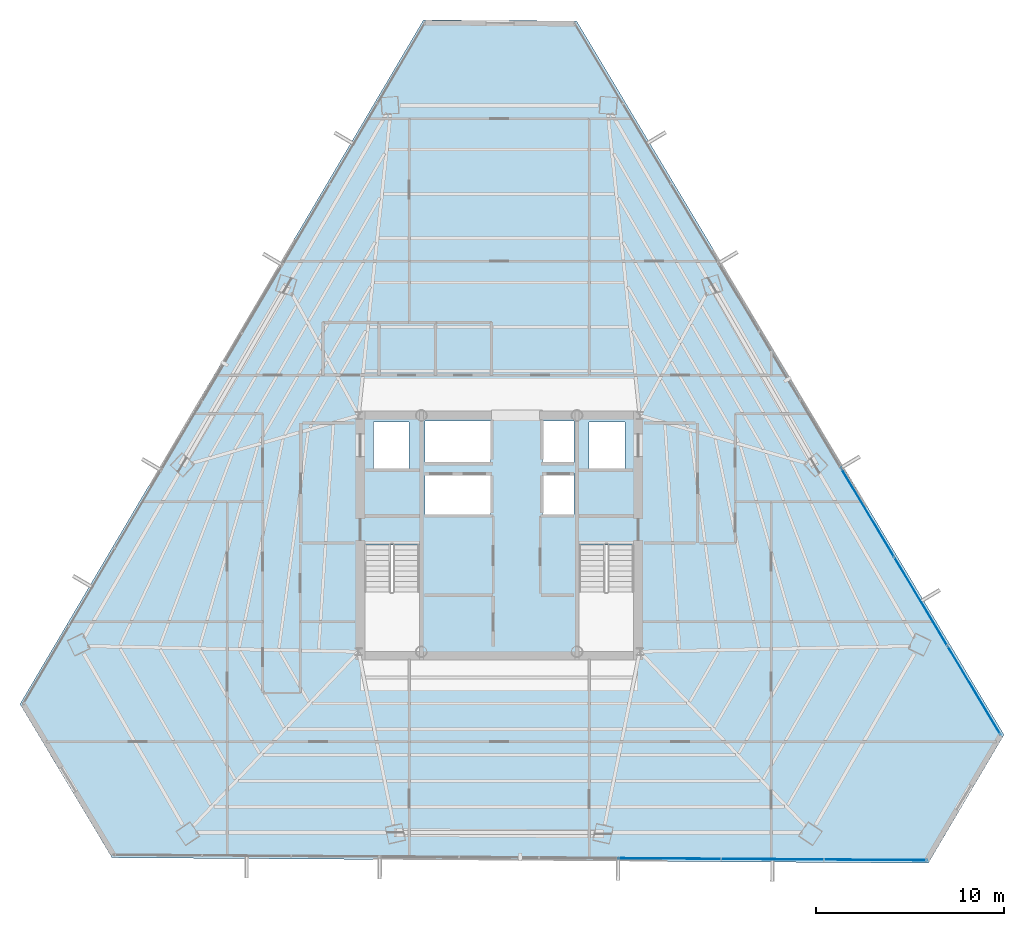
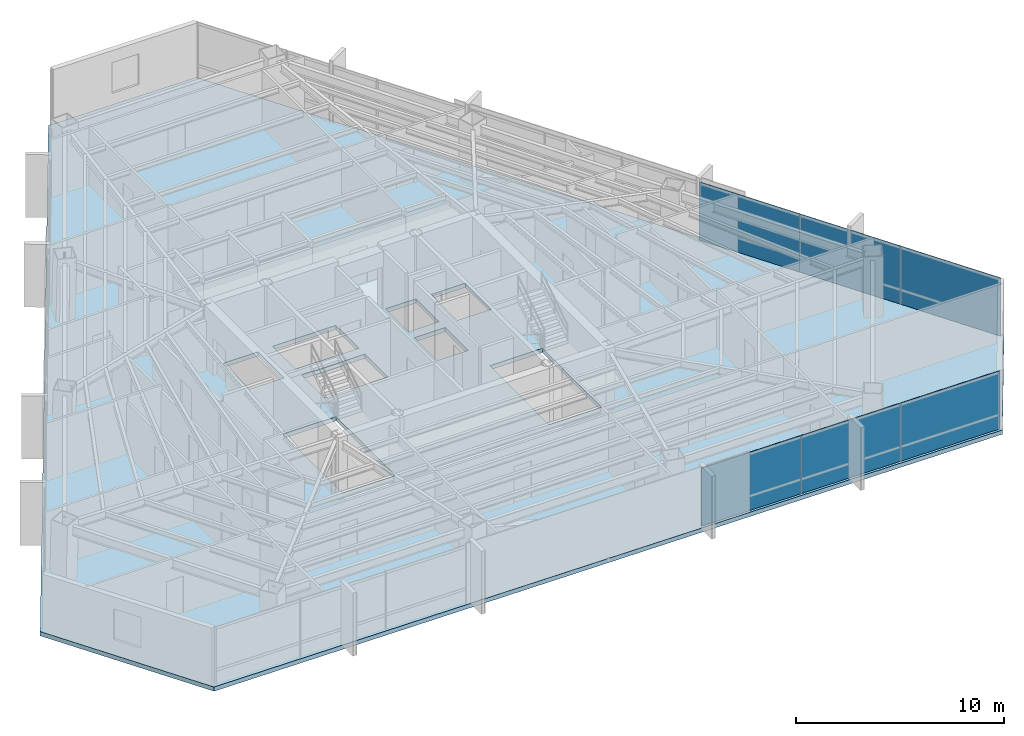
# One storey, part 34 of 41: 6 plates, 1 slab, 2 elements without a shape of their own.
"""IFC4 building model written with IfcOpenShell, lengths in metres."""

from ifc_helpers import new_model, si_unit, direction, frame, origin, origin_2d, place, context, subcontext, project, spatial, polyline, rectangle, outline, extrude, source, transform, mapped, material, layer, layer_set, type_object, type_shapes, element, aggregate, save


model = new_model("IFC4")

# Units and contexts
model_context = context("Model", 3, precision=1e-05, world=origin(), true_north=direction((0.0, 1.0)))
body_context = subcontext(model_context, "Body", "Model", "MODEL_VIEW")
ifc_project = project(units=[si_unit("LENGTHUNIT", "METRE"), si_unit("AREAUNIT", "SQUARE_METRE"), si_unit("VOLUMEUNIT", "CUBIC_METRE"), si_unit("PLANEANGLEUNIT", "RADIAN"), si_unit("MASSUNIT", "GRAM", prefix="KILO")], contexts=[model_context])

# Site, building, storey
site_placement = place(None, origin())
site = spatial("IfcSite", under=ifc_project, at=site_placement, CompositionType="ELEMENT")
building_placement = place(site_placement, origin())
building = spatial("IfcBuilding", under=site, at=building_placement, Name="Caelisora Broadcast Tower", CompositionType="ELEMENT")
storey_placement = place(building_placement, frame((0.0, 0.0, 173.10009765625)))
storey = spatial("IfcBuildingStorey", under=building, at=storey_placement, Name="L45", CompositionType="ELEMENT", Elevation=173.10009765625)

# Slab
ifc_material_1 = material(Name="Concrete 40 MPa (AS 3600 N40)", Category="concrete")
ifc_layer_1 = layer(ifc_material_1, 0.25, Name="Concrete 40 MPa (AS 3600 N40)")
ifc_layer_set_1 = layer_set([ifc_layer_1], Name="Concrete 40 MPa (AS 3600 N40)")
slab_type = type_object("IfcSlabType", Name="SL04", PredefinedType="FLOOR", material=ifc_layer_set_1)
slab_placement = place(storey_placement, frame((0.0, 0.0, -0.25)))
element("IfcSlab", 1, at=slab_placement, inside=storey, type_object=slab_type, Name="L45 suspended floor SL04", PredefinedType="FLOOR", context=body_context, shape_type="SweptSolid", body=[
    extrude(outline(polyline([(42.1298828125, 51.032958984375), (33.964111328125, 51.0869140625), (12.448974609375, 14.60888671875), (17.35498046875, 6.416015625), (60.885009765625, 6.126953125), (64.9208984375, 12.969970703125), (42.1298828125, 51.032958984375)]), holes=[polyline([(30.820068359375, 17.39990234375), (33.739990234375, 17.39990234375), (33.739990234375, 23.080078125), (30.820068359375, 23.080078125), (30.820068359375, 17.39990234375)]), polyline([(42.260009765625, 17.39990234375), (45.179931640625, 17.39990234375), (45.179931640625, 23.080078125), (42.260009765625, 23.080078125), (42.260009765625, 17.39990234375)]), polyline([(42.800048828125, 27.14990234375), (44.699951171875, 27.14990234375), (44.699951171875, 29.64990234375), (42.800048828125, 29.64990234375), (42.800048828125, 27.14990234375)]), polyline([(40.300048828125, 24.719970703125), (42.0, 24.719970703125), (42.0, 26.919921875), (40.300048828125, 26.919921875), (40.300048828125, 24.719970703125)]), polyline([(40.300048828125, 27.5), (42.0, 27.5), (42.0, 29.699951171875), (40.300048828125, 29.699951171875), (40.300048828125, 27.5)]), polyline([(34.050048828125, 24.719970703125), (37.550048828125, 24.719970703125), (37.550048828125, 26.919921875), (34.050048828125, 26.919921875), (34.050048828125, 24.719970703125)]), polyline([(34.050048828125, 27.5), (37.550048828125, 27.5), (37.550048828125, 29.699951171875), (34.050048828125, 29.699951171875), (34.050048828125, 27.5)]), polyline([(31.300048828125, 27.14990234375), (33.199951171875, 27.14990234375), (33.199951171875, 29.64990234375), (31.300048828125, 29.64990234375), (31.300048828125, 27.14990234375)])]), origin(), (0.0, 0.0, 1.0), 0.25),
])

# Curtain wall, plates
ifc_material_2 = material(Name="Unitised Aluminium and Low-E Glass Curtain Wall", Category="glass")
curtain_wall_type = type_object("IfcCurtainWallType", Name="CW-Z3", PredefinedType="NOTDEFINED", material=ifc_material_2)
curtain_wall_1_placement = place(storey_placement, origin())
curtain_wall_1 = element("IfcCurtainWall", 2, at=curtain_wall_1_placement, inside=storey, type_object=curtain_wall_type, Name="L45 curtain wall CW-Z3", PredefinedType="NOTDEFINED")
ifc_material_3 = material(Name="Double Glazed Low-E Argon IGU", Category="glass")
ifc_layer_2 = layer(ifc_material_3, 0.031982421875, Name="Double Glazed Low-E Argon IGU")
ifc_layer_set_2 = layer_set([ifc_layer_2], Name="Double Glazed Low-E Argon IGU")
plate_type = type_object("IfcPlateType", Name="CWP-04", PredefinedType="CURTAIN_PANEL", material=ifc_layer_set_2)
shared_shape_1 = source(origin(), body_context, "Body", "SweptSolid", [
    extrude(rectangle(XDim=5.5283203125, YDim=0.031982421875, at=origin_2d()), origin(), (0.0, 0.0, 1.0), 3.39990234375),
])
plate_1_placement = place(storey_placement, frame((57.647216796875, 24.82666015625, 0.0), z_axis=(0.0, 0.0, 1.0), x_axis=(0.513691004814, -0.857975262798, 0.0)))
plate_1 = element("IfcPlate", 3, at=plate_1_placement, type_object=plate_type, Name="L45-CW-B03 glazed panel #1", PredefinedType="CURTAIN_PANEL", context=body_context, shape_type="MappedRepresentation", body=[
    mapped(shared_shape_1, transform((0.0, 0.0, 0.0), scale=1.0)),
])
plate_2_placement = place(storey_placement, frame((60.487060546875, 20.08349609375, 0.0), z_axis=(0.0, 0.0, 1.0), x_axis=(0.513691004814, -0.857975262798, 0.0)))
plate_2 = element("IfcPlate", 4, at=plate_2_placement, type_object=plate_type, Name="L45-CW-B03 glazed panel #2", PredefinedType="CURTAIN_PANEL", context=body_context, shape_type="MappedRepresentation", body=[
    mapped(shared_shape_1, transform((0.0, 0.0, 0.0), scale=1.0)),
])
plate_3_placement = place(storey_placement, frame((63.326904296875, 15.340576171875, 0.0), z_axis=(0.0, 0.0, 1.0), x_axis=(0.513691004814, -0.857975262798, 0.0)))
plate_3 = element("IfcPlate", 5, at=plate_3_placement, type_object=plate_type, Name="L45-CW-B03 glazed panel #3", PredefinedType="CURTAIN_PANEL", context=body_context, shape_type="MappedRepresentation", body=[
    mapped(shared_shape_1, transform((0.0, 0.0, 0.0), scale=1.0)),
])
aggregate(curtain_wall_1, [plate_1, plate_2, plate_3])

curtain_wall_2_placement = place(storey_placement, origin())
curtain_wall_2 = element("IfcCurtainWall", 6, at=curtain_wall_2_placement, inside=storey, type_object=curtain_wall_type, Name="L45 curtain wall CW-Z3", PredefinedType="NOTDEFINED")
shared_shape_2 = source(origin(), body_context, "Body", "SweptSolid", [
    extrude(rectangle(XDim=5.482666015625, YDim=0.031982421875, at=origin_2d()), origin(), (0.0, 0.0, 1.0), 3.39990234375),
])
type_shapes(plate_type, [shared_shape_1, shared_shape_2])
plate_4_placement = place(storey_placement, frame((58.05859375, 6.296142578125, 0.0), z_axis=(0.0, 0.0, 1.0), x_axis=(-0.999978006703, 0.006632202536, 0.0)))
plate_4 = element("IfcPlate", 7, at=plate_4_placement, type_object=plate_type, Name="L45-CW-B05 glazed panel #1", PredefinedType="CURTAIN_PANEL", context=body_context, shape_type="MappedRepresentation", body=[
    mapped(shared_shape_2, transform((0.0, 0.0, 0.0), scale=1.0)),
])
plate_5_placement = place(storey_placement, frame((52.576171875, 6.33251953125, 0.0), z_axis=(0.0, 0.0, 1.0), x_axis=(-0.999978006703, 0.006632202536, 0.0)))
plate_5 = element("IfcPlate", 8, at=plate_5_placement, type_object=plate_type, Name="L45-CW-B05 glazed panel #2", PredefinedType="CURTAIN_PANEL", context=body_context, shape_type="MappedRepresentation", body=[
    mapped(shared_shape_2, transform((0.0, 0.0, 0.0), scale=1.0)),
])
plate_6_placement = place(storey_placement, frame((47.093505859375, 6.36865234375, 0.0), z_axis=(0.0, 0.0, 1.0), x_axis=(-0.999978006703, 0.006632202536, 0.0)))
plate_6 = element("IfcPlate", 9, at=plate_6_placement, type_object=plate_type, Name="L45-CW-B05 glazed panel #3", PredefinedType="CURTAIN_PANEL", context=body_context, shape_type="MappedRepresentation", body=[
    mapped(shared_shape_2, transform((0.0, 0.0, 0.0), scale=1.0)),
])
aggregate(curtain_wall_2, [plate_4, plate_5, plate_6])

save(model, "model.ifc")
